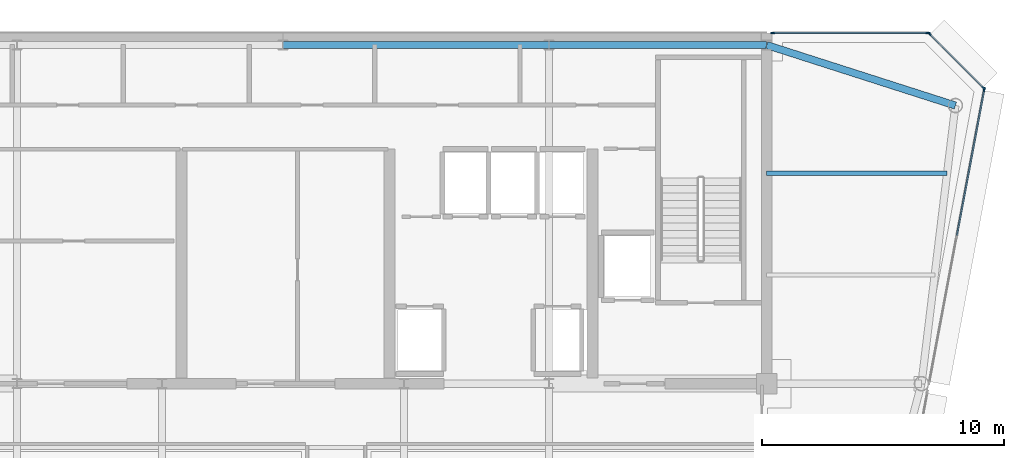
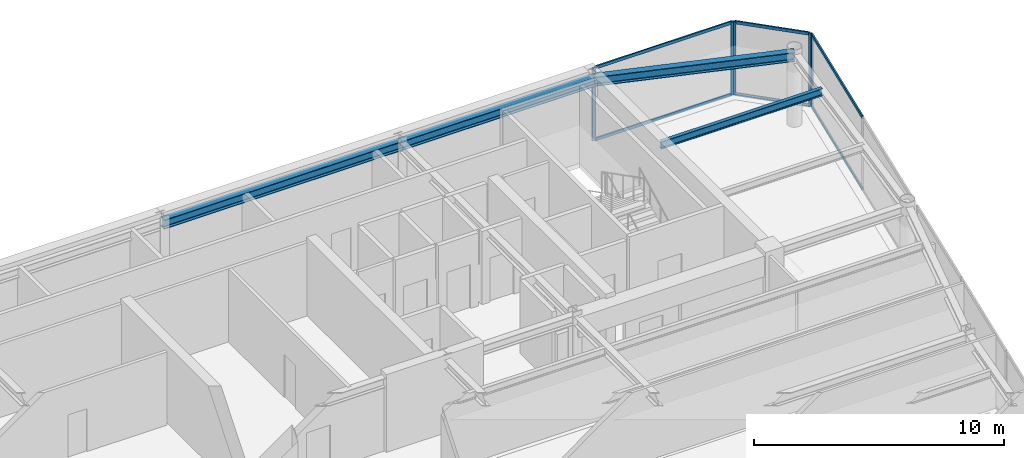
# One storey, part 9 of 20: 11 members, 4 beams, 3 elements without a shape of their own.
"""IFC4 building model written with IfcOpenShell, lengths in metres."""

from ifc_helpers import new_model, si_unit, direction, frame, origin, origin_2d, place, context, subcontext, project, spatial, rectangle, i_section, extrude, source, transform, mapped, material, layer, layer_set, material_profile, profile_set, type_object, element, aggregate, save


model = new_model("IFC4")

# Units and contexts
model_context = context("Model", 3, precision=1e-05, world=origin(), true_north=direction((0.0, 1.0)))
body_context = subcontext(model_context, "Body", "Model", "MODEL_VIEW")
ifc_project = project(units=[si_unit("LENGTHUNIT", "METRE"), si_unit("AREAUNIT", "SQUARE_METRE"), si_unit("VOLUMEUNIT", "CUBIC_METRE"), si_unit("PLANEANGLEUNIT", "RADIAN"), si_unit("MASSUNIT", "GRAM", prefix="KILO")], contexts=[model_context])

# Site, building, storey
site_placement = place(None, origin())
site = spatial("IfcSite", under=ifc_project, at=site_placement, CompositionType="ELEMENT")
building_placement = place(site_placement, origin())
building = spatial("IfcBuilding", under=site, at=building_placement, Name="Vaeldorn Concourse Tower", CompositionType="ELEMENT")
storey_placement = place(building_placement, frame((0.0, 0.0, 295.39990234375)))
storey = spatial("IfcBuildingStorey", under=building, at=storey_placement, Name="L76", CompositionType="ELEMENT", Elevation=295.39990234375)

# Beams
ifc_material_1 = material(Name="Steel S355", Category="steel")
ifc_material_profile_1 = material_profile(ifc_material_1, i_section(OverallWidth=0.300048828125, OverallDepth=0.449951171875, WebThickness=0.013916015625, FlangeThickness=0.02587890625, FilletRadius=0.027099609375, at=origin_2d()), Name="HEB 450")
ifc_profile_set_1 = profile_set([ifc_material_profile_1], Name="Steel S355")
beam_type_1 = type_object("IfcBeamType", Name="BM-PG-HEB450", PredefinedType="BEAM", material=ifc_profile_set_1)
shared_shape_1 = source(origin(), body_context, "Body", "SweptSolid", [
    extrude(i_section(OverallWidth=0.300048828125, OverallDepth=0.449951171875, WebThickness=0.013916015625, FlangeThickness=0.02587890625, FilletRadius=0.027099609375, at=origin_2d()), origin(), (0.0, 0.0, 1.0), 11.0),
])
beam_1_placement = place(storey_placement, frame((34.0, 50.5, 3.35498046875), z_axis=(1.0, 0.0, 0.0), x_axis=(0.0, 1.0, 0.0)))
element("IfcBeam", 1, at=beam_1_placement, inside=storey, type_object=beam_type_1, Name="Beam BM-L76-C-HC3-C-HC4", PredefinedType="BEAM", context=body_context, shape_type="MappedRepresentation", body=[
    mapped(shared_shape_1, transform((0.0, 0.0, 0.0), scale=1.0)),
])
ifc_material_profile_2 = material_profile(ifc_material_1, i_section(OverallWidth=0.169921875, OverallDepth=0.360107421875, WebThickness=0.008056640625, FlangeThickness=0.0126953125, FilletRadius=0.01806640625, at=origin_2d()), Name="IPE 360")
ifc_profile_set_2 = profile_set([ifc_material_profile_2], Name="Steel S355")
beam_type_2 = type_object("IfcBeamType", Name="BM-JS-IPE360", PredefinedType="JOIST", material=ifc_profile_set_2)
shared_shape_2 = source(origin(), body_context, "Body", "SweptSolid", [
    extrude(i_section(OverallWidth=0.169921875, OverallDepth=0.360107421875, WebThickness=0.008056640625, FlangeThickness=0.0126953125, FilletRadius=0.01806640625, at=origin_2d()), origin(), (0.0, 0.0, 1.0), 7.458984375),
])
beam_2_placement = place(storey_placement, frame((54.0, 45.199951171875, 3.400146484375), z_axis=(1.0, 0.0, 0.0), x_axis=(0.0, 1.0, 0.0)))
element("IfcBeam", 2, at=beam_2_placement, inside=storey, type_object=beam_type_2, Name="Beam JS-L76-NE-452", PredefinedType="JOIST", context=body_context, shape_type="MappedRepresentation", body=[
    mapped(shared_shape_2, transform((0.0, 0.0, 0.0), scale=1.0)),
])
shared_shape_3 = source(origin(), body_context, "Body", "SweptSolid", [
    extrude(i_section(OverallWidth=0.300048828125, OverallDepth=0.449951171875, WebThickness=0.013916015625, FlangeThickness=0.02587890625, FilletRadius=0.027099609375, at=origin_2d()), origin(), (0.0, 0.0, 1.0), 9.0),
])
beam_3_placement = place(storey_placement, frame((45.0, 50.5, 3.35498046875), z_axis=(1.0, 0.0, 0.0), x_axis=(0.0, 1.0, 0.0)))
element("IfcBeam", 3, at=beam_3_placement, inside=storey, type_object=beam_type_1, Name="Beam BM-L76-C-HC4-C-HC5", PredefinedType="BEAM", context=body_context, shape_type="MappedRepresentation", body=[
    mapped(shared_shape_3, transform((0.0, 0.0, 0.0), scale=1.0)),
])
shared_shape_4 = source(origin(), body_context, "Body", "SweptSolid", [
    extrude(i_section(OverallWidth=0.300048828125, OverallDepth=0.449951171875, WebThickness=0.013916015625, FlangeThickness=0.02587890625, FilletRadius=0.027099609375, at=origin_2d()), origin(), (0.0, 0.0, 1.0), 8.19091796875),
])
beam_4_placement = place(storey_placement, frame((54.0, 50.5, 3.35498046875), z_axis=(0.952282843383, -0.305216949396, 0.0), x_axis=(0.305216949396, 0.952282843383, 0.0)))
element("IfcBeam", 4, at=beam_4_placement, inside=storey, type_object=beam_type_1, Name="Beam BM-L76-C-HC5-C-NE1", PredefinedType="BEAM", context=body_context, shape_type="MappedRepresentation", body=[
    mapped(shared_shape_4, transform((0.0, 0.0, 0.0), scale=1.0)),
])

# Curtain wall, members
ifc_material_2 = material(Name="Anodised Bronze Aluminium", Category="aluminium")
ifc_layer = layer(ifc_material_2, 0.179931640625)
ifc_layer_set = layer_set([ifc_layer], Name="Anodised Bronze Aluminium")
curtain_wall_type = type_object("IfcCurtainWallType", Name="CW-SYS-05", PredefinedType="NOTDEFINED", material=ifc_layer_set)
curtain_wall_1_placement = place(storey_placement, origin())
curtain_wall_1 = element("IfcCurtainWall", 5, at=curtain_wall_1_placement, inside=storey, type_object=curtain_wall_type, Name="Unitised Curtain Wall CW-L76-E08-1", PredefinedType="NOTDEFINED")
ifc_material_profile_3 = material_profile(ifc_material_2, rectangle(XDim=0.06494140625, YDim=0.14990234375, at=origin_2d()), Name="CWT 65x150")
ifc_profile_set_3 = profile_set([ifc_material_profile_3], Name="Anodised Bronze Aluminium")
member_type_1 = type_object("IfcMemberType", Name="CWT-BRONZE-150", PredefinedType="USERDEFINED", material=ifc_profile_set_3)
shared_shape_5 = source(origin(), body_context, "Body", "SweptSolid", [
    extrude(rectangle(XDim=0.06494140625, YDim=0.14990234375, at=origin_2d()), origin(), (0.0, 0.0, 1.0), 3.123046875),
])
member_1_placement = place(storey_placement, frame((62.9541015625, 48.745849609375, 0.03271484375), z_axis=(-0.707106781187, 0.707106781187, 0.0), x_axis=(-0.707106781187, -0.707106781187, 0.0)))
member_1 = element("IfcMember", 6, at=member_1_placement, type_object=member_type_1, Name="CW-05 transom 1.1", ObjectType="TRANSOM", PredefinedType="USERDEFINED", context=body_context, shape_type="MappedRepresentation", body=[
    mapped(shared_shape_5, transform((0.0, 0.0, 0.0), scale=1.0)),
])
member_2_placement = place(storey_placement, frame((62.9541015625, 48.745849609375, 3.547607421875), z_axis=(-0.707106781187, 0.707106781187, 0.0), x_axis=(-0.707106781187, -0.707106781187, 0.0)))
member_2 = element("IfcMember", 7, at=member_2_placement, type_object=member_type_1, Name="CW-05 transom 1.2", ObjectType="TRANSOM", PredefinedType="USERDEFINED", context=body_context, shape_type="MappedRepresentation", body=[
    mapped(shared_shape_5, transform((0.0, 0.0, 0.0), scale=1.0)),
])

# Curtain wall, member
curtain_wall_2_placement = place(storey_placement, origin())
curtain_wall_2 = element("IfcCurtainWall", 8, at=curtain_wall_2_placement, inside=storey, type_object=curtain_wall_type, Name="Unitised Curtain Wall CW-L76-E07-2", PredefinedType="NOTDEFINED")
ifc_material_profile_4 = material_profile(ifc_material_2, rectangle(XDim=0.06494140625, YDim=0.169921875, at=origin_2d()), Name="CWM 65x170")
ifc_profile_set_4 = profile_set([ifc_material_profile_4], Name="Anodised Bronze Aluminium")
member_type_2 = type_object("IfcMemberType", Name="CWM-BRONZE-170", PredefinedType="MULLION", material=ifc_profile_set_4)
shared_shape_6 = source(origin(), body_context, "Body", "SweptSolid", [
    extrude(rectangle(XDim=0.06494140625, YDim=0.169921875, at=origin_2d()), origin(), (0.0, 0.0, 1.0), 3.580078125),
])
member_3_placement = place(storey_placement, frame((62.993896484375, 48.66796875, 0.0), z_axis=(0.0, 0.0, 1.0), x_axis=(-0.982880218842, 0.184245693053, 0.0)))
member_3 = element("IfcMember", 9, at=member_3_placement, type_object=member_type_2, Name="CW-05 mullion 3", PredefinedType="MULLION", context=body_context, shape_type="MappedRepresentation", body=[
    mapped(shared_shape_6, transform((0.0, 0.0, 0.0), scale=1.0)),
])

# Member
member_4_placement = place(storey_placement, frame((62.97705078125, 48.722900390625, 0.0), z_axis=(0.0, 0.0, 1.0), x_axis=(-0.707106781187, -0.707106781187, 0.0)))
member_4 = element("IfcMember", 10, at=member_4_placement, type_object=member_type_2, Name="CW-05 mullion 1", PredefinedType="MULLION", context=body_context, shape_type="MappedRepresentation", body=[
    mapped(shared_shape_6, transform((0.0, 0.0, 0.0), scale=1.0)),
])

member_5_placement = place(storey_placement, frame((60.722900390625, 50.97705078125, 0.0), z_axis=(0.0, 0.0, 1.0), x_axis=(-0.707106781187, -0.707106781187, 0.0)))
member_5 = element("IfcMember", 11, at=member_5_placement, type_object=member_type_2, Name="CW-05 mullion 2", PredefinedType="MULLION", context=body_context, shape_type="MappedRepresentation", body=[
    mapped(shared_shape_6, transform((0.0, 0.0, 0.0), scale=1.0)),
])

aggregate(curtain_wall_1, [member_4, member_5, member_1, member_2])

# Curtain wall, members
curtain_wall_3_placement = place(storey_placement, origin())
curtain_wall_3 = element("IfcCurtainWall", 12, at=curtain_wall_3_placement, inside=storey, type_object=curtain_wall_type, Name="Unitised Curtain Wall CW-L76-E09-1", PredefinedType="NOTDEFINED")
member_6_placement = place(storey_placement, frame((60.66748046875, 51.0, 0.0), z_axis=(0.0, 0.0, 1.0), x_axis=(0.0, -1.0, 0.0)))
member_6 = element("IfcMember", 13, at=member_6_placement, type_object=member_type_2, Name="CW-05 mullion 1", PredefinedType="MULLION", context=body_context, shape_type="MappedRepresentation", body=[
    mapped(shared_shape_6, transform((0.0, 0.0, 0.0), scale=1.0)),
])
member_7_placement = place(storey_placement, frame((54.25244140625, 51.0, 0.0), z_axis=(0.0, 0.0, 1.0), x_axis=(0.0, -1.0, 0.0)))
member_7 = element("IfcMember", 14, at=member_7_placement, type_object=member_type_2, Name="CW-05 mullion 2", PredefinedType="MULLION", context=body_context, shape_type="MappedRepresentation", body=[
    mapped(shared_shape_6, transform((0.0, 0.0, 0.0), scale=1.0)),
])
shared_shape_7 = source(origin(), body_context, "Body", "SweptSolid", [
    extrude(rectangle(XDim=0.06494140625, YDim=0.14990234375, at=origin_2d()), origin(), (0.0, 0.0, 1.0), 6.35009765625),
])
member_8_placement = place(storey_placement, frame((60.635009765625, 51.0, 0.03271484375), z_axis=(-1.0, 0.0, 0.0), x_axis=(0.0, -1.0, 0.0)))
member_8 = element("IfcMember", 15, at=member_8_placement, type_object=member_type_1, Name="CW-05 transom 1.1", ObjectType="TRANSOM", PredefinedType="USERDEFINED", context=body_context, shape_type="MappedRepresentation", body=[
    mapped(shared_shape_7, transform((0.0, 0.0, 0.0), scale=1.0)),
])
member_9_placement = place(storey_placement, frame((60.635009765625, 51.0, 3.547607421875), z_axis=(-1.0, 0.0, 0.0), x_axis=(0.0, -1.0, 0.0)))
member_9 = element("IfcMember", 16, at=member_9_placement, type_object=member_type_1, Name="CW-05 transom 1.2", ObjectType="TRANSOM", PredefinedType="USERDEFINED", context=body_context, shape_type="MappedRepresentation", body=[
    mapped(shared_shape_7, transform((0.0, 0.0, 0.0), scale=1.0)),
])
aggregate(curtain_wall_3, [member_6, member_7, member_8, member_9])

# Member
shared_shape_8 = source(origin(), body_context, "Body", "SweptSolid", [
    extrude(rectangle(XDim=0.06494140625, YDim=0.14990234375, at=origin_2d()), origin(), (0.0, 0.0, 1.0), 6.103515625),
])
member_10_placement = place(storey_placement, frame((61.863525390625, 42.63720703125, 0.03271484375), z_axis=(0.18424023288, 0.982881242363, 0.0), x_axis=(-0.982881242363, 0.18424023288, 0.0)))
member_10 = element("IfcMember", 17, at=member_10_placement, type_object=member_type_1, Name="CW-05 transom 2.1", ObjectType="TRANSOM", PredefinedType="USERDEFINED", context=body_context, shape_type="MappedRepresentation", body=[
    mapped(shared_shape_8, transform((0.0, 0.0, 0.0), scale=1.0)),
])

member_11_placement = place(storey_placement, frame((61.863525390625, 42.63720703125, 3.547607421875), z_axis=(0.18424023288, 0.982881242363, 0.0), x_axis=(-0.982881242363, 0.18424023288, 0.0)))
member_11 = element("IfcMember", 18, at=member_11_placement, type_object=member_type_1, Name="CW-05 transom 2.2", ObjectType="TRANSOM", PredefinedType="USERDEFINED", context=body_context, shape_type="MappedRepresentation", body=[
    mapped(shared_shape_8, transform((0.0, 0.0, 0.0), scale=1.0)),
])

aggregate(curtain_wall_2, [member_3, member_10, member_11])

save(model, "model.ifc")
